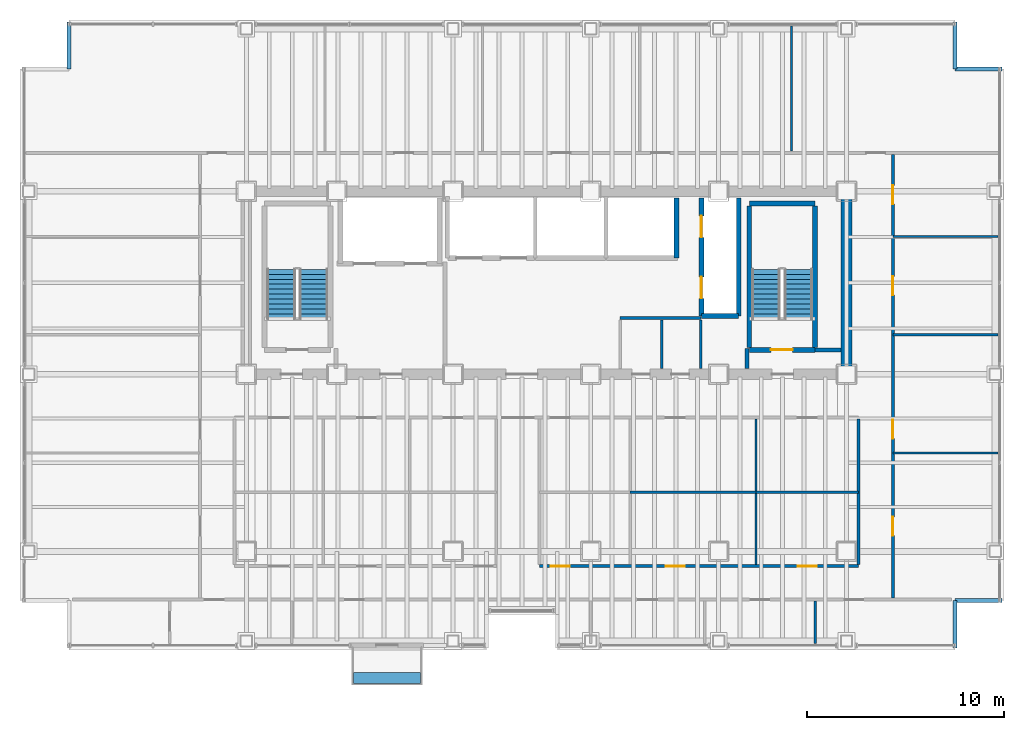
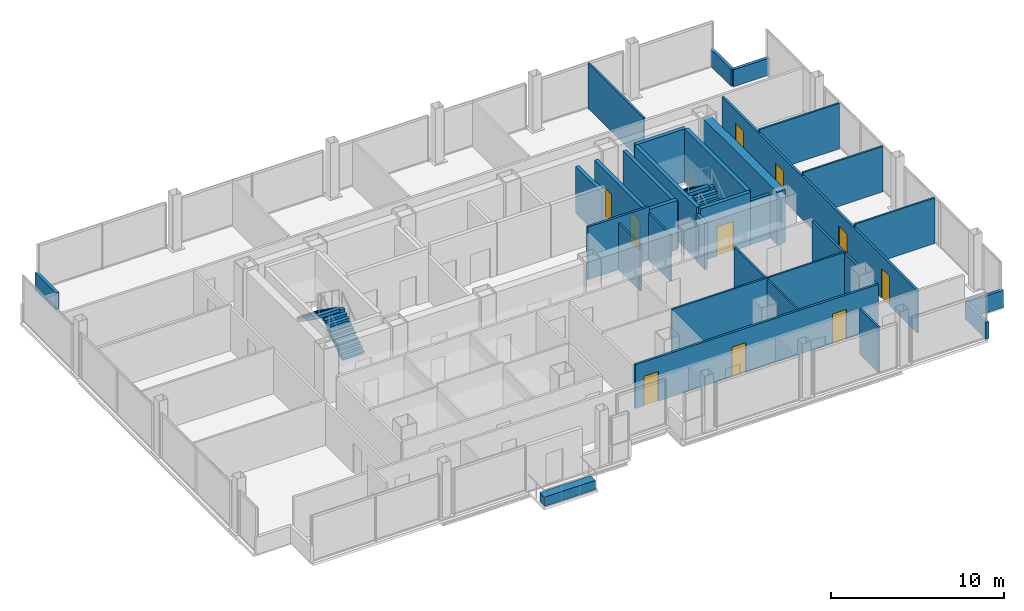
# One storey, part 20 of 21: 30 walls, 10 doors, 4 stair flights, 1 discrete accessory, 10 openings, 2 elements without a shape of their own.
"""IFC4 building model written with IfcOpenShell, lengths in metres."""

import ifcopenshell
import ifcopenshell.guid

model = None  # the IFC model being written
_history = None  # IfcOwnerHistory: only IFC2X3 demands one
_inside = {}  # id of a spatial element -> (the spatial element, [elements in it])
_under = {}  # id of a project, library or spatial element -> (it, [spatial elements below it])
_declared = {}  # id of a project -> (the project, [libraries it declares])
_typed = {}  # id of a type object -> (the type object, [elements of that type])
_made_of = {}  # id of a material, layer set ... -> (it, [elements and type objects made of it])


def new_model(schema):
    """Start an empty IFC model of exactly this schema.

    Asked for "IFC4X3", IfcOpenShell would pick the latest addendum, in which some entities
    have other attributes; the version numbers below select the first issue.
    IFC2X3 requires an IfcOwnerHistory on every rooted entity: one is made here for all.
    """
    global model, _history
    if schema == "IFC4X3":
        model = ifcopenshell.file(schema_version=(4, 3, 0, 0))
    else:
        model = ifcopenshell.file(schema=schema)
    _inside.clear()
    _under.clear()
    _declared.clear()
    _typed.clear()
    _made_of.clear()
    _history = None
    if model.schema == "IFC2X3":
        org = make("IfcOrganization", Name="unknown")
        user = make(
            "IfcPersonAndOrganization",
            ThePerson=make("IfcPerson", FamilyName="unknown"),
            TheOrganization=org,
        )
        app = make(
            "IfcApplication",
            ApplicationDeveloper=org,
            Version="unknown",
            ApplicationFullName="unknown",
            ApplicationIdentifier="unknown",
        )
        _history = make(
            "IfcOwnerHistory",
            OwningUser=user,
            OwningApplication=app,
            ChangeAction="ADDED",
            CreationDate=0,
        )
    return model


def make(cls, **values):
    """One entity of the class cls with the attributes given. An attribute that is None is left unset."""
    return model.create_entity(
        cls, **{name: value for name, value in values.items() if value is not None}
    )


def rooted(cls, **values):
    """An entity with a GlobalId (a new one), such as an element, a storey or a relation."""
    return make(cls, GlobalId=ifcopenshell.guid.new(), OwnerHistory=_history, **values)


def si_unit(unit_type, name, prefix=None):
    """IfcSIUnit, for example si_unit("LENGTHUNIT", "METRE", prefix="MILLI")."""
    return make("IfcSIUnit", UnitType=unit_type, Prefix=prefix, Name=name)


def assignment(units):
    """IfcUnitAssignment: the units of a project."""
    return None if units is None else make("IfcUnitAssignment", Units=units)


def point(xyz):
    """IfcCartesianPoint."""
    return None if xyz is None else make("IfcCartesianPoint", Coordinates=xyz)


def direction(xyz):
    """IfcDirection."""
    return None if xyz is None else make("IfcDirection", DirectionRatios=xyz)


def frame(location, z_axis=None, x_axis=None):
    """IfcAxis2Placement3D, a coordinate frame: its origin and axes. An axis left out is left unset."""
    return make(
        "IfcAxis2Placement3D",
        Location=point(location),
        Axis=direction(z_axis),
        RefDirection=direction(x_axis),
    )


def frame_2d(location, x_axis=None):
    """IfcAxis2Placement2D, a coordinate frame in the plane: its origin and x axis."""
    return make(
        "IfcAxis2Placement2D", Location=point(location), RefDirection=direction(x_axis)
    )


def origin():
    """The frame at (0, 0, 0) with its axes left unset."""
    return frame((0.0, 0.0, 0.0))


def origin_2d():
    """The frame at (0, 0) in the plane with its x axis left unset."""
    return frame_2d((0.0, 0.0))


def place(relative_to, where):
    """IfcLocalPlacement: puts the frame where relative to a parent placement (None: the world)."""
    return make(
        "IfcLocalPlacement", PlacementRelTo=relative_to, RelativePlacement=where
    )


def context(
    kind, dimensions, precision=None, world=None, true_north=None, identifier=None
):
    """IfcGeometricRepresentationContext, for example the 3D "Model" context."""
    return make(
        "IfcGeometricRepresentationContext",
        ContextIdentifier=identifier,
        ContextType=kind,
        CoordinateSpaceDimension=dimensions,
        Precision=precision,
        WorldCoordinateSystem=world,
        TrueNorth=true_north,
    )


def subcontext(parent, identifier, kind, view, scale=None):
    """IfcGeometricRepresentationSubContext, for example "Body" below "Model"."""
    return make(
        "IfcGeometricRepresentationSubContext",
        ContextIdentifier=identifier,
        ContextType=kind,
        ParentContext=parent,
        TargetScale=scale,
        TargetView=view,
    )


def project(units=None, contexts=None):
    """IfcProject with its units and contexts."""
    return rooted(
        "IfcProject",
        Name="project",
        RepresentationContexts=contexts,
        UnitsInContext=assignment(units),
    )


def spatial(cls, under=None, at=None, **own):
    """A site, building, storey or space (cls), placed at a placement, below another one or the project."""
    s = rooted(cls, ObjectPlacement=at, **own)
    if under is not None:
        _under.setdefault(under.id(), (under, []))[1].append(s)
    return s


def polyline(points):
    """IfcPolyline through the points."""
    return make("IfcPolyline", Points=[point(p) for p in points])


def profile(cls, at=None, kind="AREA", **sizes):
    """A parametric profile (cls). Its sizes go by their IFC names, for example OverallWidth=200.0."""
    return make(cls, ProfileType=kind, Position=at, **sizes)


def rectangle(**sizes):
    """IfcRectangleProfileDef."""
    return profile("IfcRectangleProfileDef", **sizes)


def outline(outer, holes=None, kind="AREA"):
    """IfcArbitraryClosedProfileDef: a profile drawn as a closed curve; with holes, ...WithVoids."""
    if holes is None:
        return make("IfcArbitraryClosedProfileDef", ProfileType=kind, OuterCurve=outer)
    return make(
        "IfcArbitraryProfileDefWithVoids",
        ProfileType=kind,
        OuterCurve=outer,
        InnerCurves=holes,
    )


def extrude(swept, where, along, depth):
    """IfcExtrudedAreaSolid: the profile swept, set in the frame where, extruded along a direction by depth."""
    return make(
        "IfcExtrudedAreaSolid",
        SweptArea=swept,
        Position=where,
        ExtrudedDirection=direction(along),
        Depth=depth,
    )


def shape(context_of_items, identifier, shape_type, items):
    """IfcShapeRepresentation: the items that make up one representation, for example the "Body"."""
    return make(
        "IfcShapeRepresentation",
        ContextOfItems=context_of_items,
        RepresentationIdentifier=identifier,
        RepresentationType=shape_type,
        Items=items,
    )


def material(Name=None, Category=None):
    """IfcMaterial."""
    return make("IfcMaterial", Name=Name, Category=Category)


def layer(
    of_material, thickness, ventilated=None, Name=None, Category=None, Priority=None
):
    """IfcMaterialLayer: one layer of a wall or slab, of a material (None: an air gap)."""
    return make(
        "IfcMaterialLayer",
        Material=of_material,
        LayerThickness=thickness,
        IsVentilated=ventilated,
        Name=Name,
        Category=Category,
        Priority=Priority,
    )


def layer_set(layers, Name=None):
    """IfcMaterialLayerSet."""
    return make("IfcMaterialLayerSet", MaterialLayers=layers, LayerSetName=Name)


def made_of(thing, what):
    """Note that an element or type object is made of a material, layer set ...; save() writes the relation."""
    if what is not None:
        _made_of.setdefault(what.id(), (what, []))[1].append(thing)
    return thing


def type_object(cls, material=None, **own):
    """A type object (cls), such as IfcWallType, which elements share."""
    return made_of(rooted(cls, **own), material)


def element(
    cls,
    number,
    at=None,
    inside=None,
    cuts=None,
    type_object=None,
    material=None,
    context=None,
    identifier="Body",
    shape_type=None,
    held_by="IfcProductDefinitionShape",
    body=None,
    shapes=None,
    **own,
):
    """One element of the class cls, such as IfcWall. Its Tag is "e" and its number.

    at: its placement. inside: the storey or other place that contains it. cuts: it is an
    opening in that element (IfcRelVoidsElement). A single representation is given by context,
    identifier, shape_type and body (its items); several are given by shapes. held_by: the class
    of the entity that holds the representations. save() writes the other relations.
    """
    e = rooted(cls, Tag="e%d" % number, ObjectPlacement=at, **own)
    if body is not None:
        shapes = [shape(context, identifier, shape_type, body)]
    if shapes is not None:
        e.Representation = make(held_by, Representations=shapes)
    if inside is not None:
        _inside.setdefault(inside.id(), (inside, []))[1].append(e)
    if cuts is not None:
        rooted(
            "IfcRelVoidsElement", RelatingBuildingElement=cuts, RelatedOpeningElement=e
        )
    if type_object is not None:
        _typed.setdefault(type_object.id(), (type_object, []))[1].append(e)
    return made_of(e, material)


def fill(opening, filler):
    """IfcRelFillsElement: the door or window that sits in an opening."""
    return rooted(
        "IfcRelFillsElement",
        RelatingOpeningElement=opening,
        RelatedBuildingElement=filler,
    )


def aggregate(whole, parts):
    """IfcRelAggregates: a whole, such as a stair, and the parts it consists of."""
    return rooted("IfcRelAggregates", RelatingObject=whole, RelatedObjects=parts)


def save(model, path):
    """Write the relations noted so far, then the file.

    IfcRelAggregates (storeys below a building ...), IfcRelContainedInSpatialStructure (elements
    in a storey), IfcRelDefinesByType, IfcRelAssociatesMaterial and IfcRelDeclares: one each for
    every whole, place, type object, material and project.
    """
    for whole, parts in _under.values():
        aggregate(whole, parts)
    for where, things in _inside.values():
        rooted(
            "IfcRelContainedInSpatialStructure",
            RelatedElements=things,
            RelatingStructure=where,
        )
    for kind, things in _typed.values():
        rooted("IfcRelDefinesByType", RelatedObjects=things, RelatingType=kind)
    for what, things in _made_of.values():
        rooted("IfcRelAssociatesMaterial", RelatedObjects=things, RelatingMaterial=what)
    for by, libraries in _declared.values():
        rooted("IfcRelDeclares", RelatingContext=by, RelatedDefinitions=libraries)
    model.write(path)


model = new_model("IFC4")

# Units and contexts
model_context = context("Model", 3, precision=1e-05, world=origin(), true_north=direction((0.0, 1.0)))
body_context = subcontext(model_context, "Body", "Model", "MODEL_VIEW")
ifc_project = project(units=[si_unit("LENGTHUNIT", "METRE"), si_unit("AREAUNIT", "SQUARE_METRE"), si_unit("VOLUMEUNIT", "CUBIC_METRE"), si_unit("PLANEANGLEUNIT", "RADIAN"), si_unit("MASSUNIT", "GRAM", prefix="KILO")], contexts=[model_context])

# Site, building, storey
site_placement = place(None, origin())
site = spatial("IfcSite", under=ifc_project, at=site_placement, CompositionType="ELEMENT")
building_placement = place(site_placement, origin())
building = spatial("IfcBuilding", under=site, at=building_placement, Name="Noeulbin Bourse Tower", CompositionType="ELEMENT")
storey_placement = place(building_placement, frame((0.0, 0.0, 30.39990234375)))
storey = spatial("IfcBuildingStorey", under=building, at=storey_placement, Name="L07", CompositionType="ELEMENT", Elevation=30.39990234375)

# Walls
ifc_material_1 = material(Name="Concrete C60/75", Category="concrete")
ifc_layer_1 = layer(ifc_material_1, 0.550048828125)
ifc_layer_set_1 = layer_set([ifc_layer_1], Name="Concrete C60/75")
wall_type_1 = type_object("IfcWallType", Name="WAL-CORE-550", PredefinedType="SHEAR", material=ifc_layer_set_1)
wall_1_placement = place(storey_placement, frame((44.0, 29.35009765625, 0.0), z_axis=(0.0, 0.0, 1.0), x_axis=(0.0, 1.0, 0.0)))
element("IfcWall", 1, at=wall_1_placement, inside=storey, type_object=wall_type_1, Name="Rear Core East Shear Wall L07", PredefinedType="SHEAR", context=body_context, shape_type="SweptSolid", body=[
    extrude(rectangle(XDim=8.599853515625, YDim=0.550048828125, at=frame_2d((4.2998046875, 0.0))), origin(), (0.0, 0.0, 1.0), 3.72021484375),
])
ifc_material_2 = material(Name="Concrete C40/50", Category="concrete")
ifc_layer_2 = layer(ifc_material_2, 0.199951171875)
ifc_layer_set_2 = layer_set([ifc_layer_2], Name="Concrete C40/50")
wall_type_2 = type_object("IfcWallType", Name="WAL-FIRE-200", PredefinedType="STANDARD", material=ifc_layer_set_2)
wall_2_placement = place(storey_placement, frame((42.39990234375, 30.239990234375, 0.0), z_axis=(0.0, 0.0, 1.0), x_axis=(1.0, 0.0, 0.0)))
element("IfcWall", 2, at=wall_2_placement, inside=storey, type_object=wall_type_2, Name="Interior Partition Wall L07-01", PredefinedType="STANDARD", context=body_context, shape_type="SweptSolid", body=[
    extrude(rectangle(XDim=1.315185546875, YDim=0.199951171875, at=frame_2d((0.65771484375, 0.0))), origin(), (0.0, 0.0, 1.0), 3.10009765625),
])
wall_3_placement = place(storey_placement, frame((38.949951171875, 29.284912109375, 0.0), z_axis=(0.0, 0.0, 1.0), x_axis=(0.0, 1.0, 0.0)))
element("IfcWall", 3, at=wall_3_placement, inside=storey, type_object=wall_type_2, Name="Interior Partition Wall L07-21", PredefinedType="STANDARD", context=body_context, shape_type="SweptSolid", body=[
    extrude(rectangle(XDim=1.01513671875, YDim=0.199951171875, at=frame_2d((0.507568359375, 0.0))), origin(), (0.0, 0.0, 1.0), 3.300048828125),
])
ifc_layer_3 = layer(ifc_material_2, 0.199951171875)
ifc_layer_set_3 = layer_set([ifc_layer_3], Name="Concrete C40/50")
wall_type_3 = type_object("IfcWallType", Name="WAL-PAR-200", PredefinedType="PARAPET", material=ifc_layer_set_3)
for number, where, z_axis, x_axis, name in (
    (4, (49.5, 15.10009765625, 0.0), (0.0, 0.0, 1.0), (0.0, 1.0, 0.0), "Corner Notch Parapet L07-SE1"),
    (5, (49.5, 17.5, 0.0), (0.0, 0.0, 1.0), (1.0, 0.0, 0.0), "Corner Notch Parapet L07-SE2"),
    (6, (4.5, 44.5, 0.0), (0.0, 0.0, 1.0), (0.0, 1.0, 0.0), "Corner Notch Parapet L07-NW2"),
    (7, (49.5, 46.89990234375, 0.0), (0.0, 0.0, 1.0), (0.0, -1.0, 0.0), "Corner Notch Parapet L07-NE1"),
    (8, (49.5, 44.5, 0.0), (0.0, 0.0, 1.0), (1.0, 0.0, 0.0), "Corner Notch Parapet L07-NE2"),
):
    element("IfcWall", number, at=place(storey_placement, frame(where, z_axis=z_axis, x_axis=x_axis)), inside=storey, type_object=wall_type_3, Name=name, PredefinedType="PARAPET", context=body_context, shape_type="SweptSolid", body=[
        extrude(rectangle(XDim=2.39990234375, YDim=0.199951171875, at=frame_2d((1.199951171875, 0.0))), origin(), (0.0, 0.0, 1.0), 1.2001953125),
    ])
ifc_material_3 = material(Name="Steel Stud Gypsum Partition", Category="steel")
ifc_layer_4 = layer(ifc_material_3, 0.1201171875)
ifc_layer_set_4 = layer_set([ifc_layer_4], Name="Steel Stud Gypsum Partition")
wall_type_4 = type_object("IfcWallType", Name="WAL-PRT-120", PredefinedType="PARTITIONING", material=ifc_layer_set_4)
wall_4_placement = place(storey_placement, frame((33.0, 23.0, 0.0), z_axis=(0.0, 0.0, 1.0), x_axis=(1.0, 0.0, 0.0)))
element("IfcWall", 9, at=wall_4_placement, inside=storey, type_object=wall_type_4, Name="Interior Partition Wall L07-11", PredefinedType="PARTITIONING", context=body_context, shape_type="SweptSolid", body=[
    extrude(rectangle(XDim=6.39990234375, YDim=0.1201171875, at=frame_2d((3.199951171875, 0.0))), origin(), (0.0, 0.0, 1.0), 3.10009765625),
])
wall_5_placement = place(storey_placement, frame((39.39990234375, 23.0, 0.0), z_axis=(0.0, 0.0, 1.0), x_axis=(1.0, 0.0, 0.0)))
element("IfcWall", 10, at=wall_5_placement, inside=storey, type_object=wall_type_4, Name="Interior Partition Wall L07-12", PredefinedType="PARTITIONING", context=body_context, shape_type="SweptSolid", body=[
    extrude(rectangle(XDim=5.2001953125, YDim=0.1201171875, at=frame_2d((2.60009765625, 0.0))), origin(), (0.0, 0.0, 1.0), 3.10009765625),
])
for number, where, z_axis, x_axis, name in (
    (11, (46.35009765625, 25.0, 0.0), (0.0, 0.0, 1.0), (1.0, 0.0, 0.0), "Interior Partition Wall L07-16"),
    (12, (46.35009765625, 31.0, 0.0), (0.0, 0.0, 1.0), (1.0, 0.0, 0.0), "Interior Partition Wall L07-17"),
    (13, (46.35009765625, 36.0, 0.0), (0.0, 0.0, 1.0), (1.0, 0.0, 0.0), "Interior Partition Wall L07-18"),
):
    element("IfcWall", number, at=place(storey_placement, frame(where, z_axis=z_axis, x_axis=x_axis)), inside=storey, type_object=wall_type_4, Name=name, PredefinedType="PARTITIONING", context=body_context, shape_type="SweptSolid", body=[
        extrude(rectangle(XDim=5.33984375, YDim=0.1201171875, at=frame_2d((2.669921875, 0.0))), origin(), (0.0, 0.0, 1.0), 3.212158203125),
    ])
for number, where, z_axis, x_axis, name in (
    (14, (36.60009765625, 29.284912109375, 0.0), (0.0, 0.0, 1.0), (0.0, 1.0, 0.0), "Interior Partition Wall L07-24"),
    (15, (34.60009765625, 29.284912109375, 0.0), (0.0, 0.0, 1.0), (0.0, 1.0, 0.0), "Interior Partition Wall L07-25"),
):
    element("IfcWall", number, at=place(storey_placement, frame(where, z_axis=z_axis, x_axis=x_axis)), inside=storey, type_object=wall_type_4, Name=name, PredefinedType="PARTITIONING", context=body_context, shape_type="SweptSolid", body=[
        extrude(rectangle(XDim=2.47998046875, YDim=0.1201171875, at=frame_2d((1.239990234375, 0.0))), origin(), (0.0, 0.0, 1.0), 3.300048828125),
    ])
wall_6_placement = place(storey_placement, frame((42.39990234375, 15.31005859375, 0.0), z_axis=(0.0, 0.0, 1.0), x_axis=(0.0, 1.0, 0.0)))
element("IfcWall", 16, at=wall_6_placement, inside=storey, type_object=wall_type_4, Name="Interior Partition Wall L07-36", PredefinedType="PARTITIONING", context=body_context, shape_type="SweptSolid", body=[
    extrude(rectangle(XDim=2.155029296875, YDim=0.1201171875, at=frame_2d((1.07763671875, 0.0))), origin(), (0.0, 0.0, 1.0), 3.212158203125),
])
wall_7_placement = place(storey_placement, frame((39.39990234375, 19.3349609375, 0.0), z_axis=(0.0, 0.0, 1.0), x_axis=(0.0, 1.0, 0.0)))
element("IfcWall", 17, at=wall_7_placement, inside=storey, type_object=wall_type_4, Name="Interior Partition Wall L07-40", PredefinedType="PARTITIONING", context=body_context, shape_type="SweptSolid", body=[
    extrude(rectangle(XDim=7.380126953125, YDim=0.1201171875, at=frame_2d((3.68994140625, 0.0))), origin(), (0.0, 0.0, 1.0), 3.0),
])
wall_8_placement = place(storey_placement, frame((41.199951171875, 40.3349609375, 0.0), z_axis=(0.0, 0.0, 1.0), x_axis=(0.0, 1.0, 0.0)))
element("IfcWall", 18, at=wall_8_placement, inside=storey, type_object=wall_type_4, Name="Interior Partition Wall L07-44", PredefinedType="PARTITIONING", context=body_context, shape_type="SweptSolid", body=[
    extrude(rectangle(XDim=6.35498046875, YDim=0.1201171875, at=frame_2d((3.177490234375, 0.0))), origin(), (0.0, 0.0, 1.0), 3.212158203125),
])
ifc_material_4 = material(Name="Steel Stud Acoustic Gypsum Board", Category="steel")
ifc_layer_5 = layer(ifc_material_4, 0.14990234375)
ifc_layer_set_5 = layer_set([ifc_layer_5], Name="Steel Stud Acoustic Gypsum Board")
wall_type_5 = type_object("IfcWallType", Name="WAL-PRT-150", PredefinedType="PARTITIONING", material=ifc_layer_set_5)
wall_9_placement = place(storey_placement, frame((32.5, 31.85009765625, 0.0), z_axis=(0.0, 0.0, 1.0), x_axis=(1.0, 0.0, 0.0)))
element("IfcWall", 19, at=wall_9_placement, inside=storey, type_object=wall_type_5, Name="Interior Partition Wall L07-02", PredefinedType="PARTITIONING", context=body_context, shape_type="SweptSolid", body=[
    extrude(rectangle(XDim=4.10009765625, YDim=0.14990234375, at=frame_2d((2.050048828125, 0.0))), origin(), (0.0, 0.0, 1.0), 3.72021484375),
])

# Wall, openings, doors
wall_10_placement = place(storey_placement, frame((28.39990234375, 19.25, 0.0), z_axis=(0.0, 0.0, 1.0), x_axis=(1.0, 0.0, 0.0)))
wall_10 = element("IfcWall", 20, at=wall_10_placement, inside=storey, type_object=wall_type_5, Name="Interior Partition Wall L07-06", PredefinedType="PARTITIONING", context=body_context, shape_type="SweptSolid", body=[
    extrude(rectangle(XDim=16.2001953125, YDim=0.14990234375, at=frame_2d((8.10009765625, 0.0))), origin(), (0.0, 0.0, 1.0), 3.10009765625),
])
opening_1_placement = place(wall_10_placement, frame((0.574951171875, 0.0, 0.0)))
opening_1 = element("IfcOpeningElement", 21, at=opening_1_placement, cuts=wall_10, Name="Opening ID-09", PredefinedType="OPENING", context=body_context, shape_type="SweptSolid", body=[
    extrude(rectangle(XDim=0.949951171875, YDim=2.080078125, at=frame_2d((0.47509765625, 1.0400390625))), frame((0.0, 0.0849609375, 0.0), z_axis=(0.0, -1.0, 0.0), x_axis=(1.0, 0.0, 0.0)), (0.0, 0.0, 1.0), 0.169921875),
])
opening_2_placement = place(wall_10_placement, frame((6.425048828125, 0.0, 0.0)))
opening_2 = element("IfcOpeningElement", 22, at=opening_2_placement, cuts=wall_10, Name="Opening ID-09", PredefinedType="OPENING", context=body_context, shape_type="SweptSolid", body=[
    extrude(rectangle(XDim=0.949951171875, YDim=2.080078125, at=frame_2d((0.47509765625, 1.0400390625))), frame((0.0, 0.0849609375, 0.0), z_axis=(0.0, -1.0, 0.0), x_axis=(1.0, 0.0, 0.0)), (0.0, 0.0, 1.0), 0.169921875),
])
opening_3_placement = place(wall_10_placement, frame((13.125, 0.0, 0.0)))
opening_3 = element("IfcOpeningElement", 23, at=opening_3_placement, cuts=wall_10, Name="Opening ID-09", PredefinedType="OPENING", context=body_context, shape_type="SweptSolid", body=[
    extrude(rectangle(XDim=0.949951171875, YDim=2.080078125, at=frame_2d((0.47509765625, 1.0400390625))), frame((0.0, 0.0849609375, 0.0), z_axis=(0.0, -1.0, 0.0), x_axis=(1.0, 0.0, 0.0)), (0.0, 0.0, 1.0), 0.169921875),
])
ifc_material_5 = material(Name="Acoustic Solid-Core Timber", Category="wood")
door_type_1 = type_object("IfcDoorType", Name="DR-SINGLE-950", OperationType="SINGLE_SWING_LEFT", PredefinedType="DOOR", material=ifc_material_5)
door_1_placement = place(opening_1_placement, origin())
door_1 = element("IfcDoor", 24, at=door_1_placement, inside=storey, type_object=door_type_1, Name="Interior Door L07-21", OperationType="SINGLE_SWING_LEFT", OverallHeight=2.080078125, OverallWidth=0.949951171875, PredefinedType="DOOR", context=body_context, shape_type="SweptSolid", body=[
    extrude(rectangle(XDim=0.949951171875, YDim=2.080078125, at=frame_2d((0.47509765625, 1.0400390625))), frame((0.0, 0.02490234375, 0.0), z_axis=(0.0, -1.0, 0.0), x_axis=(1.0, 0.0, 0.0)), (0.0, 0.0, 1.0), 0.050048828125),
])
fill(opening_1, door_1)
door_2_placement = place(opening_2_placement, origin())
door_2 = element("IfcDoor", 25, at=door_2_placement, inside=storey, type_object=door_type_1, Name="Interior Door L07-23", OperationType="SINGLE_SWING_LEFT", OverallHeight=2.080078125, OverallWidth=0.949951171875, PredefinedType="DOOR", context=body_context, shape_type="SweptSolid", body=[
    extrude(rectangle(XDim=0.949951171875, YDim=2.080078125, at=frame_2d((0.47509765625, 1.0400390625))), frame((0.0, 0.02490234375, 0.0), z_axis=(0.0, -1.0, 0.0), x_axis=(1.0, 0.0, 0.0)), (0.0, 0.0, 1.0), 0.050048828125),
])
fill(opening_2, door_2)
door_3_placement = place(opening_3_placement, origin())
door_3 = element("IfcDoor", 26, at=door_3_placement, inside=storey, type_object=door_type_1, Name="Interior Door L07-25", OperationType="SINGLE_SWING_LEFT", OverallHeight=2.080078125, OverallWidth=0.949951171875, PredefinedType="DOOR", context=body_context, shape_type="SweptSolid", body=[
    extrude(rectangle(XDim=0.949951171875, YDim=2.080078125, at=frame_2d((0.47509765625, 1.0400390625))), frame((0.0, 0.02490234375, 0.0), z_axis=(0.0, -1.0, 0.0), x_axis=(1.0, 0.0, 0.0)), (0.0, 0.0, 1.0), 0.050048828125),
])
fill(opening_3, door_3)

wall_11_placement = place(storey_placement, frame((46.35009765625, 17.635009765625, 0.0), z_axis=(0.0, 0.0, 1.0), x_axis=(0.0, 1.0, 0.0)))
wall_11 = element("IfcWall", 27, at=wall_11_placement, inside=storey, type_object=wall_type_5, Name="Interior Partition Wall L07-30", PredefinedType="PARTITIONING", context=body_context, shape_type="SweptSolid", body=[
    extrude(rectangle(XDim=22.530029296875, YDim=0.14990234375, at=frame_2d((11.26513671875, 0.0))), origin(), (0.0, 0.0, 1.0), 3.0),
])
opening_4_placement = place(wall_11_placement, frame((3.1650390625, 0.0, 0.0)))
opening_4 = element("IfcOpeningElement", 28, at=opening_4_placement, cuts=wall_11, Name="Opening ID-09", PredefinedType="OPENING", context=body_context, shape_type="SweptSolid", body=[
    extrude(rectangle(XDim=0.949951171875, YDim=2.080078125, at=frame_2d((0.47509765625, 1.0400390625))), frame((0.0, 0.0849609375, 0.0), z_axis=(0.0, -1.0, 0.0), x_axis=(1.0, 0.0, 0.0)), (0.0, 0.0, 1.0), 0.169921875),
])
opening_5_placement = place(wall_11_placement, frame((8.090087890625, 0.0, 0.0)))
opening_5 = element("IfcOpeningElement", 29, at=opening_5_placement, cuts=wall_11, Name="Opening ID-09", PredefinedType="OPENING", context=body_context, shape_type="SweptSolid", body=[
    extrude(rectangle(XDim=0.949951171875, YDim=2.080078125, at=frame_2d((0.47509765625, 1.0400390625))), frame((0.0, 0.0849609375, 0.0), z_axis=(0.0, -1.0, 0.0), x_axis=(1.0, 0.0, 0.0)), (0.0, 0.0, 1.0), 0.169921875),
])
opening_6_placement = place(wall_11_placement, frame((15.389892578125, 0.0, 0.0)))
opening_6 = element("IfcOpeningElement", 30, at=opening_6_placement, cuts=wall_11, Name="Opening ID-09", PredefinedType="OPENING", context=body_context, shape_type="SweptSolid", body=[
    extrude(rectangle(XDim=0.949951171875, YDim=2.080078125, at=frame_2d((0.47509765625, 1.0400390625))), frame((0.0, 0.0849609375, 0.0), z_axis=(0.0, -1.0, 0.0), x_axis=(1.0, 0.0, 0.0)), (0.0, 0.0, 1.0), 0.169921875),
])
opening_7_placement = place(wall_11_placement, frame((20.014892578125, 0.0, 0.0)))
opening_7 = element("IfcOpeningElement", 31, at=opening_7_placement, cuts=wall_11, Name="Opening ID-09", PredefinedType="OPENING", context=body_context, shape_type="SweptSolid", body=[
    extrude(rectangle(XDim=0.949951171875, YDim=2.080078125, at=frame_2d((0.47509765625, 1.0400390625))), frame((0.0, 0.0849609375, 0.0), z_axis=(0.0, -1.0, 0.0), x_axis=(1.0, 0.0, 0.0)), (0.0, 0.0, 1.0), 0.169921875),
])
door_4_placement = place(opening_4_placement, origin())
door_4 = element("IfcDoor", 32, at=door_4_placement, inside=storey, type_object=door_type_1, Name="Interior Door L07-30", OperationType="SINGLE_SWING_RIGHT", OverallHeight=2.080078125, OverallWidth=0.949951171875, PredefinedType="DOOR", context=body_context, shape_type="SweptSolid", body=[
    extrude(rectangle(XDim=0.949951171875, YDim=2.080078125, at=frame_2d((0.47509765625, 1.0400390625))), frame((0.0, 0.02490234375, 0.0), z_axis=(0.0, -1.0, 0.0), x_axis=(1.0, 0.0, 0.0)), (0.0, 0.0, 1.0), 0.050048828125),
])
fill(opening_4, door_4)
door_5_placement = place(opening_5_placement, origin())
door_5 = element("IfcDoor", 33, at=door_5_placement, inside=storey, type_object=door_type_1, Name="Interior Door L07-31", OperationType="SINGLE_SWING_LEFT", OverallHeight=2.080078125, OverallWidth=0.949951171875, PredefinedType="DOOR", context=body_context, shape_type="SweptSolid", body=[
    extrude(rectangle(XDim=0.949951171875, YDim=2.080078125, at=frame_2d((0.47509765625, 1.0400390625))), frame((0.0, 0.02490234375, 0.0), z_axis=(0.0, -1.0, 0.0), x_axis=(1.0, 0.0, 0.0)), (0.0, 0.0, 1.0), 0.050048828125),
])
fill(opening_5, door_5)
door_6_placement = place(opening_6_placement, origin())
door_6 = element("IfcDoor", 34, at=door_6_placement, inside=storey, type_object=door_type_1, Name="Interior Door L07-32", OperationType="SINGLE_SWING_RIGHT", OverallHeight=2.080078125, OverallWidth=0.949951171875, PredefinedType="DOOR", context=body_context, shape_type="SweptSolid", body=[
    extrude(rectangle(XDim=0.949951171875, YDim=2.080078125, at=frame_2d((0.47509765625, 1.0400390625))), frame((0.0, 0.02490234375, 0.0), z_axis=(0.0, -1.0, 0.0), x_axis=(1.0, 0.0, 0.0)), (0.0, 0.0, 1.0), 0.050048828125),
])
fill(opening_6, door_6)
door_7_placement = place(opening_7_placement, origin())
door_7 = element("IfcDoor", 35, at=door_7_placement, inside=storey, type_object=door_type_1, Name="Interior Door L07-33", OperationType="SINGLE_SWING_LEFT", OverallHeight=2.080078125, OverallWidth=0.949951171875, PredefinedType="DOOR", context=body_context, shape_type="SweptSolid", body=[
    extrude(rectangle(XDim=0.949951171875, YDim=2.080078125, at=frame_2d((0.47509765625, 1.0400390625))), frame((0.0, 0.02490234375, 0.0), z_axis=(0.0, -1.0, 0.0), x_axis=(1.0, 0.0, 0.0)), (0.0, 0.0, 1.0), 0.050048828125),
])
fill(opening_7, door_7)

# Wall
wall_12_placement = place(storey_placement, frame((44.60009765625, 19.3349609375, 0.0), z_axis=(0.0, 0.0, 1.0), x_axis=(0.0, 1.0, 0.0)))
element("IfcWall", 36, at=wall_12_placement, inside=storey, type_object=wall_type_5, Name="Interior Partition Wall L07-31", PredefinedType="PARTITIONING", context=body_context, shape_type="SweptSolid", body=[
    extrude(rectangle(XDim=7.380126953125, YDim=0.14990234375, at=frame_2d((3.68994140625, 0.0))), origin(), (0.0, 0.0, 1.0), 3.0),
])

# Wall, opening, door
ifc_layer_6 = layer(ifc_material_2, 0.25)
ifc_layer_set_6 = layer_set([ifc_layer_6], Name="Concrete C40/50")
wall_type_6 = type_object("IfcWallType", Name="WAL-SHFT-250", PredefinedType="STANDARD", material=ifc_layer_set_6)
wall_13_placement = place(storey_placement, frame((39.06005859375, 30.235107421875, 0.0), z_axis=(0.0, 0.0, 1.0), x_axis=(1.0, 0.0, 0.0)))
wall_13 = element("IfcWall", 37, at=wall_13_placement, inside=storey, type_object=wall_type_6, Name="Stair ST-2 South Shaft Wall L07", PredefinedType="STANDARD", context=body_context, shape_type="SweptSolid", body=[
    extrude(rectangle(XDim=3.33984375, YDim=0.25, at=frame_2d((1.669921875, 0.0))), origin(), (0.0, 0.0, 1.0), 3.72021484375),
])
opening_8_placement = place(wall_13_placement, frame((1.10009765625, 0.0, 0.0)))
opening_8 = element("IfcOpeningElement", 38, at=opening_8_placement, cuts=wall_13, Name="Opening FD-11", PredefinedType="OPENING", context=body_context, shape_type="SweptSolid", body=[
    extrude(rectangle(XDim=1.10009765625, YDim=2.080078125, at=frame_2d((0.550048828125, 1.0400390625))), frame((0.0, 0.135009765625, 0.0), z_axis=(0.0, -1.0, 0.0), x_axis=(1.0, 0.0, 0.0)), (0.0, 0.0, 1.0), 0.27001953125),
])
ifc_material_6 = material(Name="Fire-Rated Insulated Steel", Category="steel")
door_type_2 = type_object("IfcDoorType", Name="DR-FD60-1100", OperationType="SINGLE_SWING_LEFT", PredefinedType="DOOR", material=ifc_material_6)
door_8_placement = place(opening_8_placement, origin())
door_8 = element("IfcDoor", 39, at=door_8_placement, inside=storey, type_object=door_type_2, Name="Protected Stair Entry Door ST2-L07", OperationType="SINGLE_SWING_RIGHT", OverallHeight=2.080078125, OverallWidth=1.10009765625, PredefinedType="DOOR", context=body_context, shape_type="SweptSolid", body=[
    extrude(rectangle(XDim=1.10009765625, YDim=2.080078125, at=frame_2d((0.550048828125, 1.0400390625))), frame((0.0, 0.02490234375, 0.0), z_axis=(0.0, -1.0, 0.0), x_axis=(1.0, 0.0, 0.0)), (0.0, 0.0, 1.0), 0.050048828125),
])
fill(opening_8, door_8)

# Walls
wall_14_placement = place(storey_placement, frame((39.06005859375, 37.6689453125, 0.0), z_axis=(0.0, 0.0, 1.0), x_axis=(1.0, 0.0, 0.0)))
element("IfcWall", 40, at=wall_14_placement, inside=storey, type_object=wall_type_6, Name="Stair ST-2 North Shaft Wall L07", PredefinedType="STANDARD", context=body_context, shape_type="SweptSolid", body=[
    extrude(rectangle(XDim=3.33984375, YDim=0.25, at=frame_2d((1.669921875, 0.0))), origin(), (0.0, 0.0, 1.0), 3.72021484375),
])
for number, where, z_axis, x_axis, name in (
    (41, (39.054931640625, 30.360107421875, 0.0), (0.0, 0.0, 1.0), (0.0, 1.0, 0.0), "Stair ST-2 West Shaft Wall L07"),
    (42, (42.405029296875, 30.360107421875, 0.0), (0.0, 0.0, 1.0), (0.0, 1.0, 0.0), "Stair ST-2 East Shaft Wall L07"),
):
    element("IfcWall", number, at=place(storey_placement, frame(where, z_axis=z_axis, x_axis=x_axis)), inside=storey, type_object=wall_type_6, Name=name, PredefinedType="STANDARD", context=body_context, shape_type="SweptSolid", body=[
        extrude(rectangle(XDim=7.183837890625, YDim=0.25, at=frame_2d((3.591796875, 0.0))), origin(), (0.0, 0.0, 1.0), 3.72021484375),
    ])

# Wall, openings, doors
wall_15_placement = place(storey_placement, frame((36.6201171875, 31.949951171875, 0.0), z_axis=(0.0, 0.0, 1.0), x_axis=(0.0, 1.0, 0.0)))
wall_15 = element("IfcWall", 43, at=wall_15_placement, inside=storey, type_object=wall_type_6, Name="Service Lift Shaft Wall L07", PredefinedType="STANDARD", context=body_context, shape_type="SweptSolid", body=[
    extrude(rectangle(XDim=6.0, YDim=0.25, at=frame_2d((3.0, 0.0))), origin(), (0.0, 0.0, 1.0), 3.300048828125),
])
opening_9_placement = place(wall_15_placement, frame((0.89990234375, 0.0, 0.0)))
opening_9 = element("IfcOpeningElement", 44, at=opening_9_placement, cuts=wall_15, Name="Opening LD-11", PredefinedType="OPENING", context=body_context, shape_type="SweptSolid", body=[
    extrude(rectangle(XDim=1.10009765625, YDim=2.080078125, at=frame_2d((0.550048828125, 1.0400390625))), frame((0.0, 0.135009765625, 0.0), z_axis=(0.0, -1.0, 0.0), x_axis=(1.0, 0.0, 0.0)), (0.0, 0.0, 1.0), 0.27001953125),
])
opening_10_placement = place(wall_15_placement, frame((4.0, 0.0, 0.0)))
opening_10 = element("IfcOpeningElement", 45, at=opening_10_placement, cuts=wall_15, Name="Opening LD-11", PredefinedType="OPENING", context=body_context, shape_type="SweptSolid", body=[
    extrude(rectangle(XDim=1.10009765625, YDim=2.080078125, at=frame_2d((0.550048828125, 1.0400390625))), frame((0.0, 0.135009765625, 0.0), z_axis=(0.0, -1.0, 0.0), x_axis=(1.0, 0.0, 0.0)), (0.0, 0.0, 1.0), 0.27001953125),
])
ifc_material_7 = material(Name="Brushed Stainless Steel 316", Category="steel")
door_type_3 = type_object("IfcDoorType", Name="DR-LIFT-1100", OperationType="SLIDING_TO_LEFT", PredefinedType="DOOR", material=ifc_material_7)
door_9_placement = place(opening_9_placement, origin())
door_9 = element("IfcDoor", 46, at=door_9_placement, inside=storey, type_object=door_type_3, Name="Lift Landing Door LD-EL-01-L07", OperationType="SLIDING_TO_LEFT", OverallHeight=2.080078125, OverallWidth=1.10009765625, PredefinedType="DOOR", context=body_context, shape_type="SweptSolid", body=[
    extrude(rectangle(XDim=1.10009765625, YDim=2.080078125, at=frame_2d((0.550048828125, 1.0400390625))), frame((0.0, 0.02490234375, 0.0), z_axis=(0.0, -1.0, 0.0), x_axis=(1.0, 0.0, 0.0)), (0.0, 0.0, 1.0), 0.050048828125),
])
fill(opening_9, door_9)
door_10_placement = place(opening_10_placement, origin())
door_10 = element("IfcDoor", 47, at=door_10_placement, inside=storey, type_object=door_type_3, Name="Lift Landing Door LD-SV-01-L07", OperationType="SLIDING_TO_LEFT", OverallHeight=2.080078125, OverallWidth=1.10009765625, PredefinedType="DOOR", context=body_context, shape_type="SweptSolid", body=[
    extrude(rectangle(XDim=1.10009765625, YDim=2.080078125, at=frame_2d((0.550048828125, 1.0400390625))), frame((0.0, 0.02490234375, 0.0), z_axis=(0.0, -1.0, 0.0), x_axis=(1.0, 0.0, 0.0)), (0.0, 0.0, 1.0), 0.050048828125),
])
fill(opening_10, door_10)

# Walls
wall_16_placement = place(storey_placement, frame((38.52001953125, 31.949951171875, 0.0), z_axis=(0.0, 0.0, 1.0), x_axis=(0.0, 1.0, 0.0)))
element("IfcWall", 48, at=wall_16_placement, inside=storey, type_object=wall_type_6, Name="Service Lift East Shaft Wall L07", PredefinedType="STANDARD", context=body_context, shape_type="SweptSolid", body=[
    extrude(rectangle(XDim=6.0, YDim=0.25, at=frame_2d((3.0, 0.0))), origin(), (0.0, 0.0, 1.0), 3.300048828125),
])
wall_17_placement = place(storey_placement, frame((36.6201171875, 31.949951171875, 0.0), z_axis=(0.0, 0.0, 1.0), x_axis=(1.0, 0.0, 0.0)))
element("IfcWall", 49, at=wall_17_placement, inside=storey, type_object=wall_type_6, Name="Service Lift South Shaft Wall L07", PredefinedType="STANDARD", context=body_context, shape_type="SweptSolid", body=[
    extrude(rectangle(XDim=1.89990234375, YDim=0.25, at=frame_2d((0.949951171875, 0.0))), origin(), (0.0, 0.0, 1.0), 3.47998046875),
])
wall_18_placement = place(storey_placement, frame((35.360107421875, 34.89990234375, 0.0), z_axis=(0.0, 0.0, 1.0), x_axis=(0.0, 1.0, 0.0)))
element("IfcWall", 50, at=wall_18_placement, inside=storey, type_object=wall_type_6, Name="High-Rise Lift East Shaft Wall L07", PredefinedType="STANDARD", context=body_context, shape_type="SweptSolid", body=[
    extrude(rectangle(XDim=3.050048828125, YDim=0.25, at=frame_2d((1.52490234375, 0.0))), origin(), (0.0, 0.0, 1.0), 3.300048828125),
])

# Stair, stair flights
stair_type = type_object("IfcStairType", Name="STR-CORE-1560", PredefinedType="HALF_TURN_STAIR", material=ifc_material_2)
stair_1_placement = place(storey_placement, origin())
stair_1 = element("IfcStair", 51, at=stair_1_placement, inside=storey, type_object=stair_type, Name="L07 ST-1", PredefinedType="HALF_TURN_STAIR")
stair_flight_type = type_object("IfcStairFlightType", Name="SFL-CORE-1560", PredefinedType="STRAIGHT", material=ifc_material_2)
stair_flight_1_placement = place(storey_placement, frame((16.925048828125, 31.81005859375, 0.0), z_axis=(0.0, 0.0, 1.0), x_axis=(0.0, 1.0, 0.0)))
stair_flight_1 = element("IfcStairFlight", 52, at=stair_flight_1_placement, type_object=stair_flight_type, Name="ST-1 flight 1", NumberOfRisers=11, NumberOfTreads=10, PredefinedType="STRAIGHT", RiserHeight=0.177272727, TreadLength=0.252, context=body_context, shape_type="SweptSolid", body=[
    extrude(outline(polyline([(0.0, 0.0), (0.0, 0.17724609375), (0.251953125, 0.17724609375), (0.251953125, 0.3544921875), (0.50390625, 0.3544921875), (0.50390625, 0.53173828125), (0.756103515625, 0.53173828125), (0.756103515625, 0.708984375), (1.008056640625, 0.708984375), (1.008056640625, 0.886474609375), (1.260009765625, 0.886474609375), (1.260009765625, 1.063720703125), (1.511962890625, 1.063720703125), (1.511962890625, 1.240966796875), (1.763916015625, 1.240966796875), (1.763916015625, 1.418212890625), (2.01611328125, 1.418212890625), (2.01611328125, 1.595458984375), (2.26806640625, 1.595458984375), (2.26806640625, 1.772705078125), (2.52001953125, 1.772705078125), (2.52001953125, 1.949951171875), (2.52001953125, 1.552734375), (0.312744140625, 0.0), (0.0, 0.0)])), frame((0.0, 0.72509765625, 0.0), z_axis=(0.0, -1.0, 0.0), x_axis=(1.0, 0.0, 0.0)), (0.0, 0.0, 1.0), 1.449951171875),
])
stair_flight_2_placement = place(storey_placement, frame((15.27490234375, 34.330078125, 1.9501953125), z_axis=(0.0, 0.0, 1.0), x_axis=(0.0, -1.0, 0.0)))
stair_flight_2 = element("IfcStairFlight", 53, at=stair_flight_2_placement, type_object=stair_flight_type, Name="ST-1 flight 2", NumberOfRisers=11, NumberOfTreads=10, PredefinedType="STRAIGHT", RiserHeight=0.177272727, TreadLength=0.252, context=body_context, shape_type="SweptSolid", body=[
    extrude(outline(polyline([(0.0, 0.0), (0.0, 0.17724609375), (0.251953125, 0.17724609375), (0.251953125, 0.3544921875), (0.50390625, 0.3544921875), (0.50390625, 0.53173828125), (0.756103515625, 0.53173828125), (0.756103515625, 0.708984375), (1.008056640625, 0.708984375), (1.008056640625, 0.886474609375), (1.260009765625, 0.886474609375), (1.260009765625, 1.063720703125), (1.511962890625, 1.063720703125), (1.511962890625, 1.240966796875), (1.763916015625, 1.240966796875), (1.763916015625, 1.418212890625), (2.01611328125, 1.418212890625), (2.01611328125, 1.595458984375), (2.26806640625, 1.595458984375), (2.26806640625, 1.772705078125), (2.52001953125, 1.772705078125), (2.52001953125, 1.949951171875), (2.52001953125, 1.552734375), (0.312744140625, 0.0), (0.0, 0.0)])), frame((0.0, 0.72509765625, 0.0), z_axis=(0.0, -1.0, 0.0), x_axis=(1.0, 0.0, 0.0)), (0.0, 0.0, 1.0), 1.449951171875),
])
aggregate(stair_1, [stair_flight_1, stair_flight_2])

stair_2_placement = place(storey_placement, origin())
stair_2 = element("IfcStair", 54, at=stair_2_placement, inside=storey, type_object=stair_type, Name="L07 ST-2", PredefinedType="HALF_TURN_STAIR")
stair_flight_3_placement = place(storey_placement, frame((41.554931640625, 31.81005859375, 0.0), z_axis=(0.0, 0.0, 1.0), x_axis=(0.0, 1.0, 0.0)))
stair_flight_3 = element("IfcStairFlight", 55, at=stair_flight_3_placement, type_object=stair_flight_type, Name="ST-2 flight 1", NumberOfRisers=11, NumberOfTreads=10, PredefinedType="STRAIGHT", RiserHeight=0.177272727, TreadLength=0.252, context=body_context, shape_type="SweptSolid", body=[
    extrude(outline(polyline([(0.0, 0.0), (0.0, 0.17724609375), (0.251953125, 0.17724609375), (0.251953125, 0.3544921875), (0.50390625, 0.3544921875), (0.50390625, 0.53173828125), (0.756103515625, 0.53173828125), (0.756103515625, 0.708984375), (1.008056640625, 0.708984375), (1.008056640625, 0.886474609375), (1.260009765625, 0.886474609375), (1.260009765625, 1.063720703125), (1.511962890625, 1.063720703125), (1.511962890625, 1.240966796875), (1.763916015625, 1.240966796875), (1.763916015625, 1.418212890625), (2.01611328125, 1.418212890625), (2.01611328125, 1.595458984375), (2.26806640625, 1.595458984375), (2.26806640625, 1.772705078125), (2.52001953125, 1.772705078125), (2.52001953125, 1.949951171875), (2.52001953125, 1.552734375), (0.312744140625, 0.0), (0.0, 0.0)])), frame((0.0, 0.72509765625, 0.0), z_axis=(0.0, -1.0, 0.0), x_axis=(1.0, 0.0, 0.0)), (0.0, 0.0, 1.0), 1.449951171875),
])
stair_flight_4_placement = place(storey_placement, frame((39.905029296875, 34.330078125, 1.9501953125), z_axis=(0.0, 0.0, 1.0), x_axis=(0.0, -1.0, 0.0)))
stair_flight_4 = element("IfcStairFlight", 56, at=stair_flight_4_placement, type_object=stair_flight_type, Name="ST-2 flight 2", NumberOfRisers=11, NumberOfTreads=10, PredefinedType="STRAIGHT", RiserHeight=0.177272727, TreadLength=0.252, context=body_context, shape_type="SweptSolid", body=[
    extrude(outline(polyline([(0.0, 0.0), (0.0, 0.17724609375), (0.251953125, 0.17724609375), (0.251953125, 0.3544921875), (0.50390625, 0.3544921875), (0.50390625, 0.53173828125), (0.756103515625, 0.53173828125), (0.756103515625, 0.708984375), (1.008056640625, 0.708984375), (1.008056640625, 0.886474609375), (1.260009765625, 0.886474609375), (1.260009765625, 1.063720703125), (1.511962890625, 1.063720703125), (1.511962890625, 1.240966796875), (1.763916015625, 1.240966796875), (1.763916015625, 1.418212890625), (2.01611328125, 1.418212890625), (2.01611328125, 1.595458984375), (2.26806640625, 1.595458984375), (2.26806640625, 1.772705078125), (2.52001953125, 1.772705078125), (2.52001953125, 1.949951171875), (2.52001953125, 1.552734375), (0.312744140625, 0.0), (0.0, 0.0)])), frame((0.0, 0.72509765625, 0.0), z_axis=(0.0, -1.0, 0.0), x_axis=(1.0, 0.0, 0.0)), (0.0, 0.0, 1.0), 1.449951171875),
])
aggregate(stair_2, [stair_flight_3, stair_flight_4])

# Discrete accessory
ifc_material_8 = material(Name="Architectural GFRC Concrete C40/50", Category="concrete")
ifc_layer_7 = layer(ifc_material_8, 0.64990234375)
ifc_layer_set_7 = layer_set([ifc_layer_7], Name="Architectural GFRC Concrete C40/50")
discrete_accessory_type = type_object("IfcDiscreteAccessoryType", Name="PLANTER-BOX-3600", PredefinedType="USERDEFINED", material=ifc_layer_set_7)
discrete_accessory_placement = place(storey_placement, frame((20.64990234375, 13.56005859375, 0.000244140625), z_axis=(0.0, 0.0, 1.0), x_axis=(1.0, 0.0, 0.0)))
element("IfcDiscreteAccessory", 57, at=discrete_accessory_placement, inside=storey, type_object=discrete_accessory_type, Name="Integrated Balcony Tree Planter Box L07", ObjectType="PLANTER", PredefinedType="USERDEFINED", context=body_context, shape_type="SweptSolid", body=[
    extrude(rectangle(XDim=3.39990234375, YDim=0.550048828125, at=origin_2d()), origin(), (0.0, 0.0, 1.0), 0.64990234375),
])

save(model, "model.ifc")
